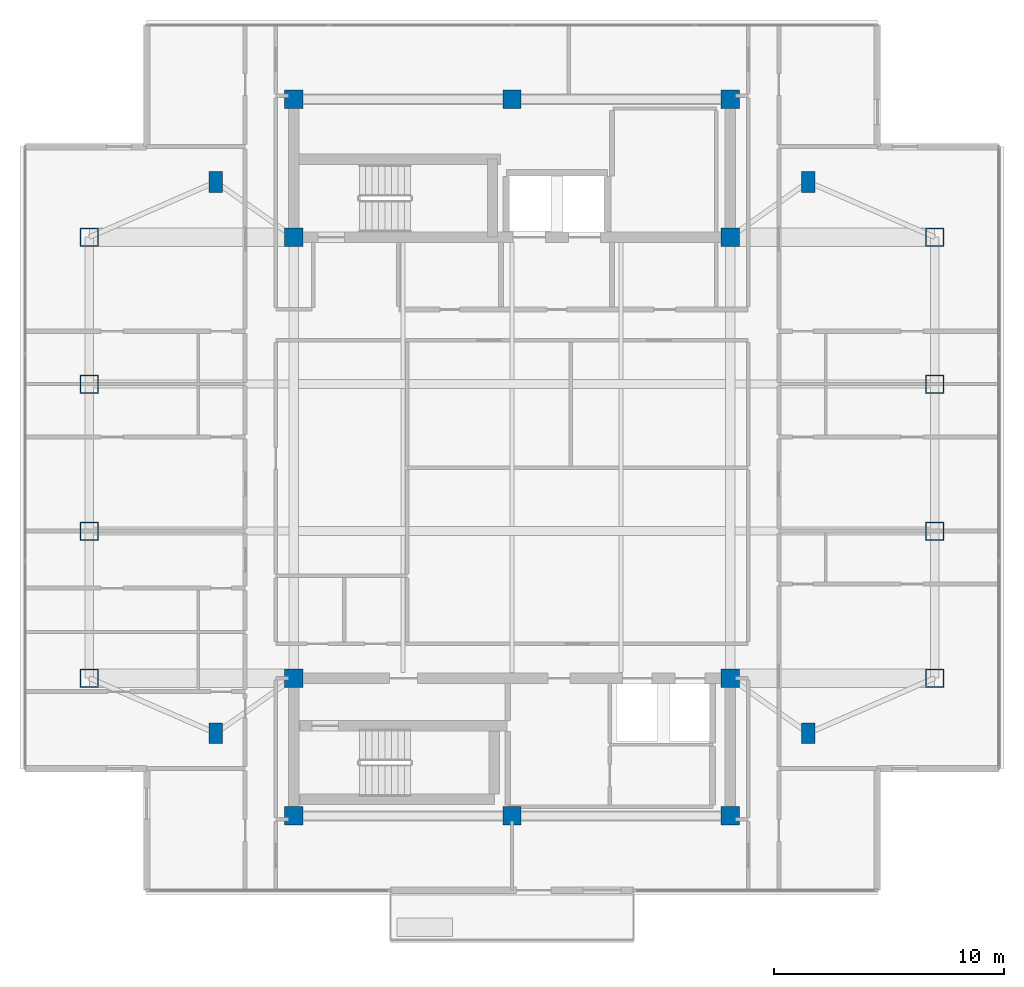
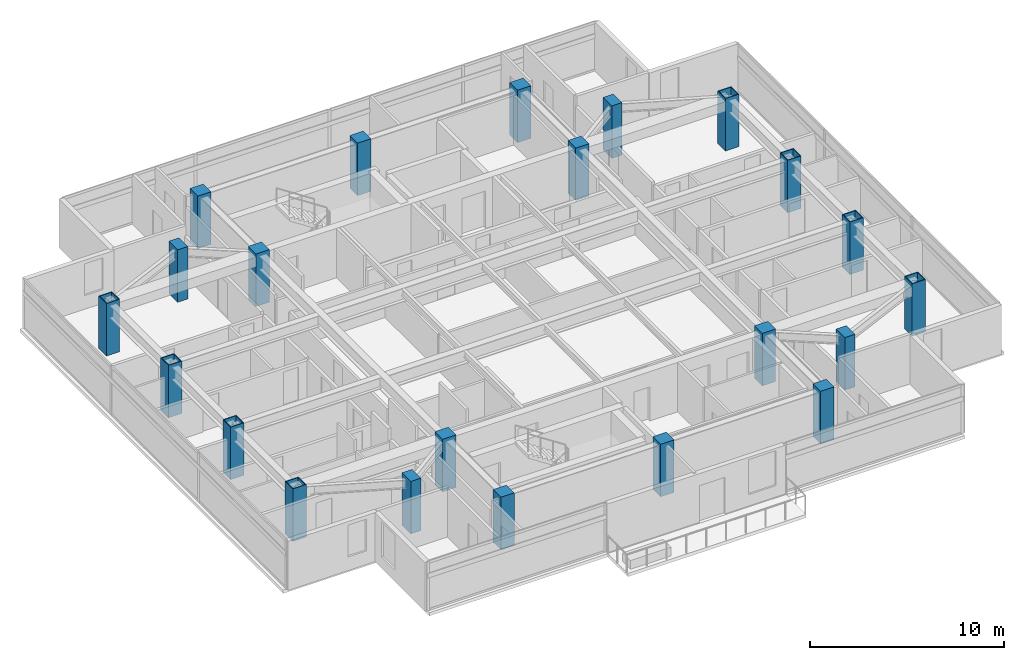
# One storey, part 1 of 14: 22 columns.
"""IFC4 building model written with IfcOpenShell, lengths in metres."""

from ifc_helpers import new_model, si_unit, direction, frame, origin, origin_2d, place, context, subcontext, project, spatial, rectangle, hollow_rectangle, extrude, material, material_profile, profile_set, type_object, element, save


model = new_model("IFC4")

# Units and contexts
model_context = context("Model", 3, precision=1e-05, world=origin(), true_north=direction((0.0, 1.0)))
body_context = subcontext(model_context, "Body", "Model", "MODEL_VIEW")
ifc_project = project(units=[si_unit("LENGTHUNIT", "METRE"), si_unit("AREAUNIT", "SQUARE_METRE"), si_unit("VOLUMEUNIT", "CUBIC_METRE"), si_unit("PLANEANGLEUNIT", "RADIAN"), si_unit("MASSUNIT", "GRAM", prefix="KILO")], contexts=[model_context])

# Site, building, storey
site_placement = place(None, origin())
site = spatial("IfcSite", under=ifc_project, at=site_placement, CompositionType="ELEMENT")
building_placement = place(site_placement, origin())
building = spatial("IfcBuilding", under=site, at=building_placement, Name="Mirazonda Arch Towers", CompositionType="ELEMENT")
storey_placement = place(building_placement, frame((0.0, 0.0, 232.60009765625)))
storey = spatial("IfcBuildingStorey", under=building, at=storey_placement, Name="L66", CompositionType="ELEMENT", Elevation=232.60009765625)

# Columns
ifc_material_1 = material(Name="Concrete C50/60", Category="concrete")
ifc_material_profile_1 = material_profile(ifc_material_1, rectangle(XDim=0.800048828125, YDim=0.800048828125, at=origin_2d()), Name="RC800x800")
ifc_profile_set_1 = profile_set([ifc_material_profile_1], Name="Concrete C50/60")
column_type_1 = type_object("IfcColumnType", Name="COL-INT-RC800x800", PredefinedType="COLUMN", material=ifc_profile_set_1)
for number, where, z_axis, x_axis, name in (
    (1, (11.0, 12.39990234375, 0.0), (0.0, 0.0, 1.0), (1.0, 0.0, 0.0), "L66 T1 Core Column 01"),
    (2, (20.5, 12.39990234375, 0.0), (0.0, 0.0, 1.0), (1.0, 0.0, 0.0), "L66 T1 Core Column 02"),
    (3, (30.0, 12.39990234375, 0.0), (0.0, 0.0, 1.0), (1.0, 0.0, 0.0), "L66 T1 Core Column 03"),
    (4, (11.0, 18.39990234375, 0.0), (0.0, 0.0, 1.0), (1.0, 0.0, 0.0), "L66 T1 Core Column 04"),
    (5, (30.0, 18.39990234375, 0.0), (0.0, 0.0, 1.0), (1.0, 0.0, 0.0), "L66 T1 Core Column 05"),
    (6, (11.0, 37.60009765625, 0.0), (0.0, 0.0, 1.0), (1.0, 0.0, 0.0), "L66 T1 Core Column 06"),
    (7, (30.0, 37.60009765625, 0.0), (0.0, 0.0, 1.0), (1.0, 0.0, 0.0), "L66 T1 Core Column 07"),
    (8, (11.0, 43.60009765625, 0.0), (0.0, 0.0, 1.0), (1.0, 0.0, 0.0), "L66 T1 Core Column 08"),
    (9, (20.5, 43.60009765625, 0.0), (0.0, 0.0, 1.0), (1.0, 0.0, 0.0), "L66 T1 Core Column 09"),
    (10, (30.0, 43.60009765625, 0.0), (0.0, 0.0, 1.0), (1.0, 0.0, 0.0), "L66 T1 Core Column 10"),
):
    element("IfcColumn", number, at=place(storey_placement, frame(where, z_axis=z_axis, x_axis=x_axis)), inside=storey, type_object=column_type_1, Name=name, PredefinedType="COLUMN", context=body_context, shape_type="SweptSolid", body=[
        extrude(rectangle(XDim=0.800048828125, YDim=0.800048828125, at=origin_2d()), origin(), (0.0, 0.0, 1.0), 3.2998046875),
    ])
ifc_material_2 = material(Name="Steel ASTM A572 Grade 50", Category="steel")
ifc_material_profile_2 = material_profile(ifc_material_2, hollow_rectangle(XDim=0.800048828125, YDim=0.800048828125, WallThickness=0.044921875, at=origin_2d()), Name="BOX800x800x45")
ifc_profile_set_2 = profile_set([ifc_material_profile_2], Name="Steel ASTM A572 Grade 50")
column_type_2 = type_object("IfcColumnType", Name="MCOL-EXT-BOX800x800x45", PredefinedType="COLUMN", material=ifc_profile_set_2)
for number, where, z_axis, x_axis, name in (
    (11, (2.10009765625, 18.39990234375, 0.0), (0.0, 0.0, 1.0), (1.0, 0.0, 0.0), "L66 T1 Composite Mega-Column 01"),
    (12, (2.10009765625, 24.800048828125, 0.0), (0.0, 0.0, 1.0), (1.0, 0.0, 0.0), "L66 T1 Composite Mega-Column 02"),
    (13, (2.10009765625, 31.199951171875, 0.0), (0.0, 0.0, 1.0), (1.0, 0.0, 0.0), "L66 T1 Composite Mega-Column 03"),
    (14, (2.10009765625, 37.60009765625, 0.0), (0.0, 0.0, 1.0), (1.0, 0.0, 0.0), "L66 T1 Composite Mega-Column 04"),
    (15, (38.89990234375, 18.39990234375, 0.0), (0.0, 0.0, 1.0), (1.0, 0.0, 0.0), "L66 T1 Composite Mega-Column 05"),
    (16, (38.89990234375, 24.800048828125, 0.0), (0.0, 0.0, 1.0), (1.0, 0.0, 0.0), "L66 T1 Composite Mega-Column 06"),
    (17, (38.89990234375, 31.199951171875, 0.0), (0.0, 0.0, 1.0), (1.0, 0.0, 0.0), "L66 T1 Composite Mega-Column 07"),
    (18, (38.89990234375, 37.60009765625, 0.0), (0.0, 0.0, 1.0), (1.0, 0.0, 0.0), "L66 T1 Composite Mega-Column 08"),
):
    element("IfcColumn", number, at=place(storey_placement, frame(where, z_axis=z_axis, x_axis=x_axis)), inside=storey, type_object=column_type_2, Name=name, PredefinedType="COLUMN", context=body_context, shape_type="SweptSolid", body=[
        extrude(hollow_rectangle(XDim=0.800048828125, YDim=0.800048828125, WallThickness=0.044921875, at=origin_2d()), origin(), (0.0, 0.0, 1.0), 3.2998046875),
    ])
ifc_material_profile_3 = material_profile(ifc_material_1, rectangle(XDim=0.60009765625, YDim=0.89990234375, at=origin_2d()), Name="RC900x600")
ifc_profile_set_3 = profile_set([ifc_material_profile_3], Name="Concrete C50/60")
column_type_3 = type_object("IfcColumnType", Name="PIL-EXT-RC900x600", PredefinedType="PILASTER", material=ifc_profile_set_3)
for number, where, z_axis, x_axis, name in (
    (19, (7.60009765625, 16.0, 0.0), (0.0, 0.0, 1.0), (1.0, 0.0, 0.0), "L66 T1 Corner Pilaster 01"),
    (20, (33.39990234375, 16.0, 0.0), (0.0, 0.0, 1.0), (1.0, 0.0, 0.0), "L66 T1 Corner Pilaster 02"),
    (21, (7.60009765625, 40.0, 0.0), (0.0, 0.0, 1.0), (1.0, 0.0, 0.0), "L66 T1 Corner Pilaster 03"),
    (22, (33.39990234375, 40.0, 0.0), (0.0, 0.0, 1.0), (1.0, 0.0, 0.0), "L66 T1 Corner Pilaster 04"),
):
    element("IfcColumn", number, at=place(storey_placement, frame(where, z_axis=z_axis, x_axis=x_axis)), inside=storey, type_object=column_type_3, Name=name, PredefinedType="PILASTER", context=body_context, shape_type="SweptSolid", body=[
        extrude(rectangle(XDim=0.60009765625, YDim=0.89990234375, at=origin_2d()), origin(), (0.0, 0.0, 1.0), 3.2998046875),
    ])

save(model, "model.ifc")
